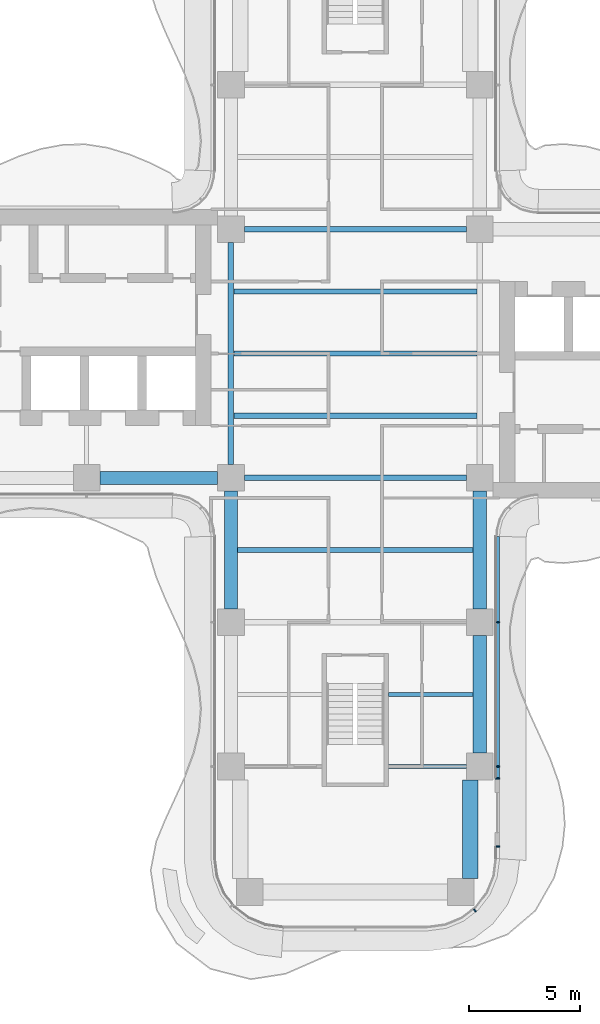
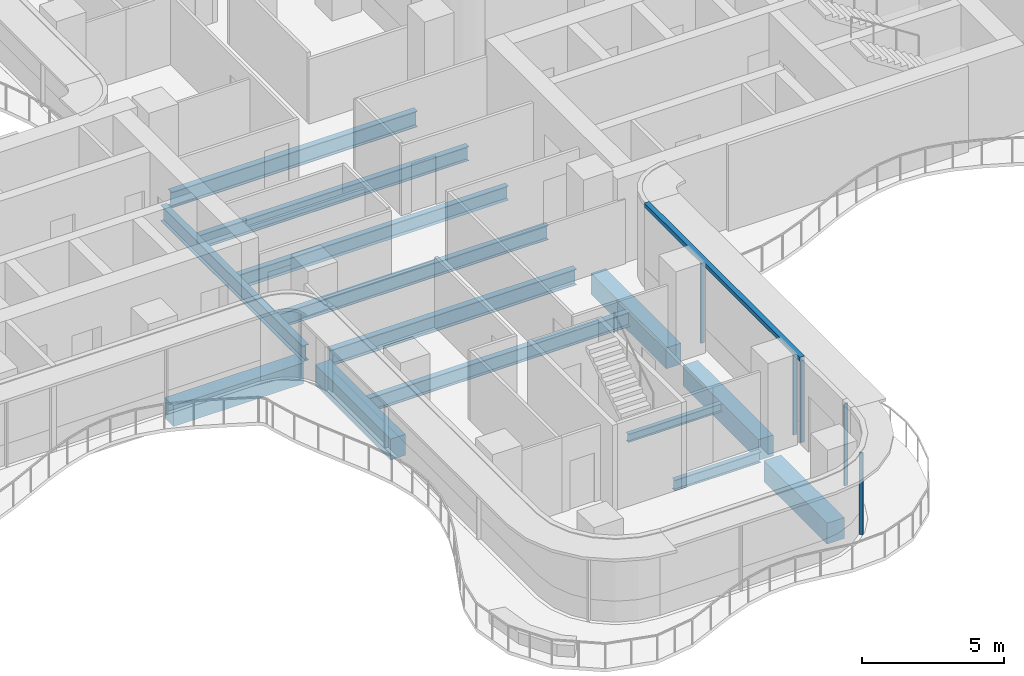
# One storey, part 4 of 18: 14 beams, 6 members, 3 elements without a shape of their own.
"""IFC4 building model written with IfcOpenShell, lengths in metres."""

from ifc_helpers import new_model, si_unit, direction, frame, origin, origin_2d, place, context, subcontext, project, spatial, polyline, rectangle, i_section, outline, extrude, source, transform, mapped, material, layer, layer_set, material_profile, profile_set, type_object, element, aggregate, save


model = new_model("IFC4")

# Units and contexts
model_context = context("Model", 3, precision=1e-05, world=origin(), true_north=direction((0.0, 1.0)))
body_context = subcontext(model_context, "Body", "Model", "MODEL_VIEW")
ifc_project = project(units=[si_unit("LENGTHUNIT", "METRE"), si_unit("AREAUNIT", "SQUARE_METRE"), si_unit("VOLUMEUNIT", "CUBIC_METRE"), si_unit("PLANEANGLEUNIT", "RADIAN"), si_unit("MASSUNIT", "GRAM", prefix="KILO")], contexts=[model_context])

# Site, building, storey
site_placement = place(None, origin())
site = spatial("IfcSite", under=ifc_project, at=site_placement, CompositionType="ELEMENT")
building_placement = place(site_placement, origin())
building = spatial("IfcBuilding", under=site, at=building_placement, Name="Trellis Farm Tower", CompositionType="ELEMENT")
storey_placement = place(building_placement, frame((0.0, 0.0, 201.0)))
storey = spatial("IfcBuildingStorey", under=building, at=storey_placement, Name="L44", CompositionType="ELEMENT", Elevation=201.0)

# Beams
ifc_material_1 = material(Name="Steel S355", Category="steel")
ifc_material_profile_1 = material_profile(ifc_material_1, i_section(OverallWidth=0.1904296875, OverallDepth=0.45703125, WebThickness=0.009033203125, FlangeThickness=0.014404296875, FilletRadius=0.01025390625, at=origin_2d()), Name="UB 457x191x74")
ifc_profile_set_1 = profile_set([ifc_material_profile_1], Name="Steel S355")
beam_type_1 = type_object("IfcBeamType", Name="UB 457x191x74", PredefinedType="BEAM", material=ifc_profile_set_1)
shared_shape_1 = source(origin(), body_context, "Body", "SweptSolid", [
    extrude(i_section(OverallWidth=0.1904296875, OverallDepth=0.45703125, WebThickness=0.009033203125, FlangeThickness=0.014404296875, FilletRadius=0.01025390625, at=origin_2d()), origin(), (0.0, 0.0, 1.0), 3.5),
])
beam_1_placement = place(storey_placement, frame((1.5, -18.60009765625, -0.428466796875), z_axis=(1.0, 0.0, 0.0), x_axis=(0.0, 1.0, 0.0)))
element("IfcBeam", 1, at=beam_1_placement, inside=storey, type_object=beam_type_1, Name="Girder", PredefinedType="BEAM", context=body_context, shape_type="MappedRepresentation", body=[
    mapped(shared_shape_1, transform((0.0, 0.0, 0.0))),
])
ifc_material_2 = material(Name="Concrete C60/75", Category="concrete")
ifc_material_profile_2 = material_profile(ifc_material_2, rectangle(XDim=0.60009765625, YDim=0.89990234375, at=origin_2d()), Name="RC spandrel beam 600x900 C60/75")
ifc_profile_set_2 = profile_set([ifc_material_profile_2], Name="Concrete C60/75")
beam_type_2 = type_object("IfcBeamType", Name="RC spandrel beam 600x900 C60/75", PredefinedType="SPANDREL", material=ifc_profile_set_2)
shared_shape_2 = source(origin(), body_context, "Body", "SweptSolid", [
    extrude(rectangle(XDim=0.60009765625, YDim=0.89990234375, at=origin_2d()), origin(), (0.0, 0.0, 1.0), 5.300048828125),
])
for number, where, z_axis, x_axis, name in (
    (2, (-11.5, -5.60009765625, -0.64990234375), (1.0, 0.0, 0.0), (0.0, 1.0, 0.0), "Girder"),
    (3, (-5.60009765625, -11.5, -0.64990234375), (0.0, 1.0, 0.0), (-1.0, 0.0, 0.0), "Girder"),
    (4, (5.60009765625, -18.0, -0.64990234375), (0.0, 1.0, 0.0), (-1.0, 0.0, 0.0), "Girder"),
    (5, (5.60009765625, -11.5, -0.64990234375), (0.0, 1.0, 0.0), (-1.0, 0.0, 0.0), "Girder"),
):
    element("IfcBeam", number, at=place(storey_placement, frame(where, z_axis=z_axis, x_axis=x_axis)), inside=storey, type_object=beam_type_2, Name=name, PredefinedType="SPANDREL", context=body_context, shape_type="MappedRepresentation", body=[
        mapped(shared_shape_2, transform((0.0, 0.0, 0.0))),
    ])
ifc_material_profile_3 = material_profile(ifc_material_1, i_section(OverallWidth=0.253662109375, OverallDepth=0.68359375, WebThickness=0.012451171875, FlangeThickness=0.021728515625, FilletRadius=0.01513671875, at=origin_2d()), Name="UB 686x254x140")
ifc_profile_set_3 = profile_set([ifc_material_profile_3], Name="Steel S355")
beam_type_3 = type_object("IfcBeamType", Name="UB 686x254x140", PredefinedType="BEAM", material=ifc_profile_set_3)
shared_shape_3 = source(origin(), body_context, "Body", "SweptSolid", [
    extrude(i_section(OverallWidth=0.253662109375, OverallDepth=0.68359375, WebThickness=0.012451171875, FlangeThickness=0.021728515625, FilletRadius=0.01513671875, at=origin_2d()), origin(), (0.0, 0.0, 1.0), 10.0),
])
for number, where, z_axis, x_axis, name in (
    (6, (-5.0, -5.60009765625, -0.541748046875), (1.0, 0.0, 0.0), (0.0, 1.0, 0.0), "Girder"),
    (7, (-5.0, 5.60009765625, -0.541748046875), (1.0, 0.0, 0.0), (0.0, 1.0, 0.0), "Girder"),
    (8, (-5.60009765625, -5.0, -0.541748046875), (0.0, 1.0, 0.0), (-1.0, 0.0, 0.0), "Girder"),
):
    element("IfcBeam", number, at=place(storey_placement, frame(where, z_axis=z_axis, x_axis=x_axis)), inside=storey, type_object=beam_type_3, Name=name, PredefinedType="BEAM", context=body_context, shape_type="MappedRepresentation", body=[
        mapped(shared_shape_3, transform((0.0, 0.0, 0.0))),
    ])
ifc_material_profile_4 = material_profile(ifc_material_2, rectangle(XDim=0.699951171875, YDim=0.89990234375, at=origin_2d()), Name="RC spandrel beam 700x900 C60/75")
ifc_profile_set_4 = profile_set([ifc_material_profile_4], Name="Concrete C60/75")
beam_type_4 = type_object("IfcBeamType", Name="RC spandrel beam 700x900 C60/75", PredefinedType="SPANDREL", material=ifc_profile_set_4)
shared_shape_4 = source(origin(), body_context, "Body", "SweptSolid", [
    extrude(rectangle(XDim=0.699951171875, YDim=0.89990234375, at=origin_2d()), origin(), (0.0, 0.0, 1.0), 4.449951171875),
])
beam_2_placement = place(storey_placement, frame((5.175048828125, -23.64990234375, -0.64990234375), z_axis=(0.0, 1.0, 0.0), x_axis=(-1.0, 0.0, 0.0)))
element("IfcBeam", 9, at=beam_2_placement, inside=storey, type_object=beam_type_4, Name="Girder", PredefinedType="SPANDREL", context=body_context, shape_type="MappedRepresentation", body=[
    mapped(shared_shape_4, transform((0.0, 0.0, 0.0))),
])
ifc_material_profile_5 = material_profile(ifc_material_1, i_section(OverallWidth=0.17138671875, OverallDepth=0.35498046875, WebThickness=0.00732421875, FlangeThickness=0.011474609375, FilletRadius=0.01025390625, at=origin_2d()), Name="UB 356x171x51")
ifc_profile_set_5 = profile_set([ifc_material_profile_5], Name="Steel S355")
beam_type_5 = type_object("IfcBeamType", Name="UB 356x171x51 joist", PredefinedType="JOIST", material=ifc_profile_set_5)
shared_shape_5 = source(origin(), body_context, "Body", "SweptSolid", [
    extrude(i_section(OverallWidth=0.17138671875, OverallDepth=0.35498046875, WebThickness=0.00732421875, FlangeThickness=0.011474609375, FilletRadius=0.01025390625, at=origin_2d()), origin(), (0.0, 0.0, 1.0), 3.800048828125),
])
beam_3_placement = place(storey_placement, frame((1.5, -15.35009765625, -0.37744140625), z_axis=(1.0, 0.0, 0.0), x_axis=(0.0, 1.0, 0.0)))
element("IfcBeam", 10, at=beam_3_placement, inside=storey, type_object=beam_type_5, Name="Floor beam", PredefinedType="JOIST", context=body_context, shape_type="MappedRepresentation", body=[
    mapped(shared_shape_5, transform((0.0, 0.0, 0.0))),
])
ifc_material_profile_6 = material_profile(ifc_material_1, i_section(OverallWidth=0.22900390625, OverallDepth=0.6123046875, WebThickness=0.011962890625, FlangeThickness=0.01953125, FilletRadius=0.0126953125, at=origin_2d()), Name="UB 610x229x125")
ifc_profile_set_6 = profile_set([ifc_material_profile_6], Name="Steel S355")
beam_type_6 = type_object("IfcBeamType", Name="UB 610x229x125 joist", PredefinedType="JOIST", material=ifc_profile_set_6)
shared_shape_6 = source(origin(), body_context, "Body", "SweptSolid", [
    extrude(i_section(OverallWidth=0.22900390625, OverallDepth=0.6123046875, WebThickness=0.011962890625, FlangeThickness=0.01953125, FilletRadius=0.0126953125, at=origin_2d()), origin(), (0.0, 0.0, 1.0), 10.9462890625),
])
for number, where, z_axis, x_axis, name in (
    (11, (-5.47314453125, -2.800048828125, -0.506103515625), (1.0, 0.0, 0.0), (0.0, 1.0, 0.0), "Floor beam"),
    (12, (-5.47314453125, 0.0, -0.506103515625), (1.0, 0.0, 0.0), (0.0, 1.0, 0.0), "Floor beam"),
    (13, (-5.47314453125, 2.800048828125, -0.506103515625), (1.0, 0.0, 0.0), (0.0, 1.0, 0.0), "Floor beam"),
):
    element("IfcBeam", number, at=place(storey_placement, frame(where, z_axis=z_axis, x_axis=x_axis)), inside=storey, type_object=beam_type_6, Name=name, PredefinedType="JOIST", context=body_context, shape_type="MappedRepresentation", body=[
        mapped(shared_shape_6, transform((0.0, 0.0, 0.0))),
    ])
shared_shape_7 = source(origin(), body_context, "Body", "SweptSolid", [
    extrude(i_section(OverallWidth=0.22900390625, OverallDepth=0.6123046875, WebThickness=0.011962890625, FlangeThickness=0.01953125, FilletRadius=0.0126953125, at=origin_2d()), origin(), (0.0, 0.0, 1.0), 10.60009765625),
])
beam_4_placement = place(storey_placement, frame((-5.300048828125, -8.85009765625, -0.506103515625), z_axis=(1.0, 0.0, 0.0), x_axis=(0.0, 1.0, 0.0)))
element("IfcBeam", 14, at=beam_4_placement, inside=storey, type_object=beam_type_6, Name="Floor beam", PredefinedType="JOIST", context=body_context, shape_type="MappedRepresentation", body=[
    mapped(shared_shape_7, transform((0.0, 0.0, 0.0))),
])

# Curtain wall, member
ifc_material_3 = material(Name="Aluminium and glass curtain wall", Category="aluminium")
ifc_layer_1 = layer(ifc_material_3, 0.18994140625)
ifc_layer_set_1 = layer_set([ifc_layer_1], Name="RIBBON CURTAIN WALL CW1")
curtain_wall_type = type_object("IfcCurtainWallType", Name="RIBBON CURTAIN WALL CW1", PredefinedType="NOTDEFINED", material=ifc_layer_set_1)
placement = place(storey_placement, origin())
curtain_wall_1 = element("IfcCurtainWall", 15, at=placement, inside=storey, type_object=curtain_wall_type, Name="CW1 003", PredefinedType="NOTDEFINED")
ifc_material_4 = material(Name="Aluminium extrusion 6063-T6", Category="aluminium")
ifc_material_profile_7 = material_profile(ifc_material_4, rectangle(XDim=0.06005859375, YDim=0.14990234375, at=origin_2d()), Name="MULLION 60x150")
ifc_profile_set_7 = profile_set([ifc_material_profile_7], Name="Aluminium extrusion 6063-T6")
member_type_1 = type_object("IfcMemberType", Name="CW1 MULLION 60x150", PredefinedType="MULLION", material=ifc_profile_set_7)
shared_shape_8 = source(origin(), body_context, "Body", "SweptSolid", [
    extrude(rectangle(XDim=0.06005859375, YDim=0.14990234375, at=origin_2d()), origin(), (0.0, 0.0, 1.0), 3.52001953125),
])
member_1_placement = place(storey_placement, frame((5.385498046875, -25.078369140625, 0.0), z_axis=(0.0, 0.0, 1.0), x_axis=(0.793353340291, 0.608761429009, 0.0)))
member_1 = element("IfcMember", 16, at=member_1_placement, type_object=member_type_1, Name="MU1 003-02", PredefinedType="MULLION", context=body_context, shape_type="MappedRepresentation", body=[
    mapped(shared_shape_8, transform((0.0, 0.0, 0.0))),
])
aggregate(curtain_wall_1, [member_1])

curtain_wall_2 = element("IfcCurtainWall", 17, at=placement, inside=storey, type_object=curtain_wall_type, Name="CW1 004", PredefinedType="NOTDEFINED")
member_2_placement = place(storey_placement, frame((6.425048828125, -22.205078125, 0.0), z_axis=(0.0, 0.0, 1.0), x_axis=(0.0, 1.0, 0.0)))
member_2 = element("IfcMember", 18, at=member_2_placement, type_object=member_type_1, Name="MU1 004-01", PredefinedType="MULLION", context=body_context, shape_type="MappedRepresentation", body=[
    mapped(shared_shape_8, transform((0.0, 0.0, 0.0))),
])
aggregate(curtain_wall_2, [member_2])

# Curtain wall, members
curtain_wall_3 = element("IfcCurtainWall", 19, at=placement, inside=storey, type_object=curtain_wall_type, Name="CW1 005", PredefinedType="NOTDEFINED")
member_3_placement = place(storey_placement, frame((6.425048828125, -19.14501953125, 0.0), z_axis=(0.0, 0.0, 1.0), x_axis=(0.0, 1.0, 0.0)))
member_3 = element("IfcMember", 20, at=member_3_placement, type_object=member_type_1, Name="MU1 005-01", PredefinedType="MULLION", context=body_context, shape_type="MappedRepresentation", body=[
    mapped(shared_shape_8, transform((0.0, 0.0, 0.0))),
])
member_4_placement = place(storey_placement, frame((6.425048828125, -18.60009765625, 0.0), z_axis=(0.0, 0.0, 1.0), x_axis=(0.0, 1.0, 0.0)))
member_4 = element("IfcMember", 21, at=member_4_placement, type_object=member_type_1, Name="MU1 005-02", PredefinedType="MULLION", context=body_context, shape_type="MappedRepresentation", body=[
    mapped(shared_shape_8, transform((0.0, 0.0, 0.0))),
])
member_5_placement = place(storey_placement, frame((6.425048828125, -12.10009765625, 0.0), z_axis=(0.0, 0.0, 1.0), x_axis=(0.0, 1.0, 0.0)))
member_5 = element("IfcMember", 22, at=member_5_placement, type_object=member_type_1, Name="MU1 005-03", PredefinedType="MULLION", context=body_context, shape_type="MappedRepresentation", body=[
    mapped(shared_shape_8, transform((0.0, 0.0, 0.0))),
])
ifc_layer_2 = layer(ifc_material_4, 0.199951171875)
ifc_layer_set_2 = layer_set([ifc_layer_2], Name="Aluminium extrusion 6063-T6")
member_type_2 = type_object("IfcMemberType", Name="CW1 TRANSOM 200x180", PredefinedType="USERDEFINED", material=ifc_layer_set_2)
shared_shape_9 = source(origin(), body_context, "Body", "SweptSolid", [
    extrude(outline(polyline([(6.5, -19.175048828125), (6.5, -8.2314453125), (6.300048828125, -8.224853515625), (6.300048828125, -19.175048828125), (6.5, -19.175048828125)])), origin(), (0.0, 0.0, 1.0), 0.179931640625),
])
member_6_placement = place(storey_placement, frame((0.0, 0.0, 3.52001953125)))
member_6 = element("IfcMember", 23, at=member_6_placement, type_object=member_type_2, Name="TR1 005", ObjectType="TRANSOM", PredefinedType="USERDEFINED", context=body_context, shape_type="MappedRepresentation", body=[
    mapped(shared_shape_9, transform((0.0, 0.0, 0.0))),
])
aggregate(curtain_wall_3, [member_3, member_4, member_5, member_6])

save(model, "model.ifc")
